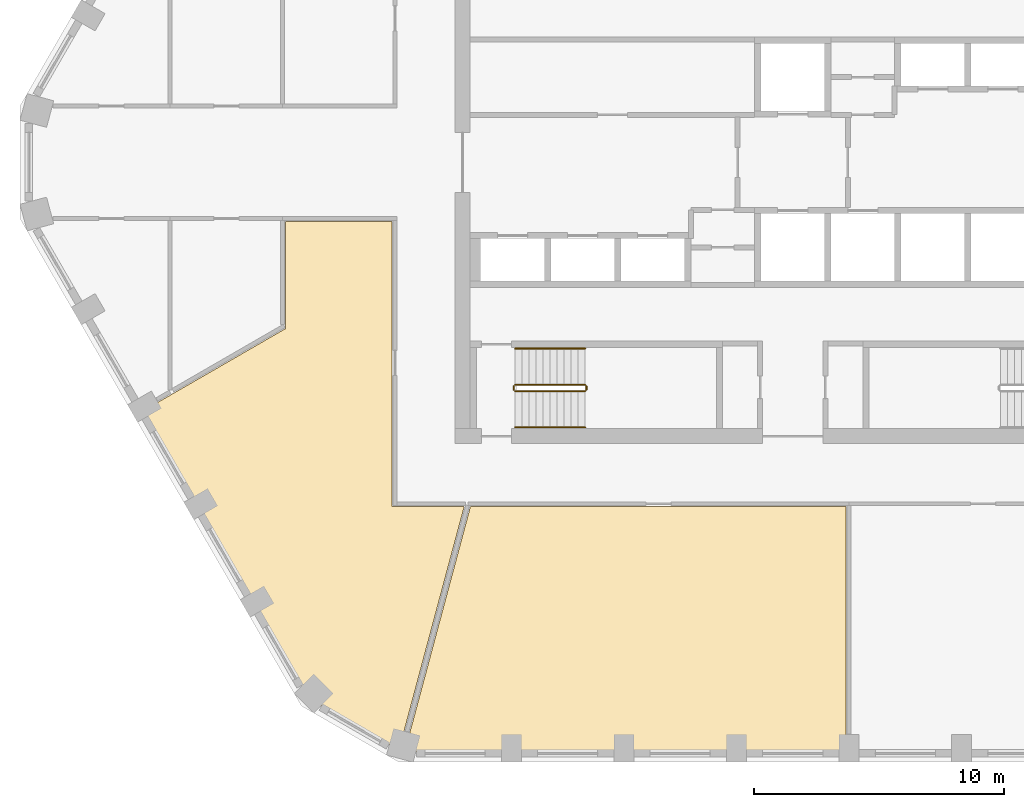
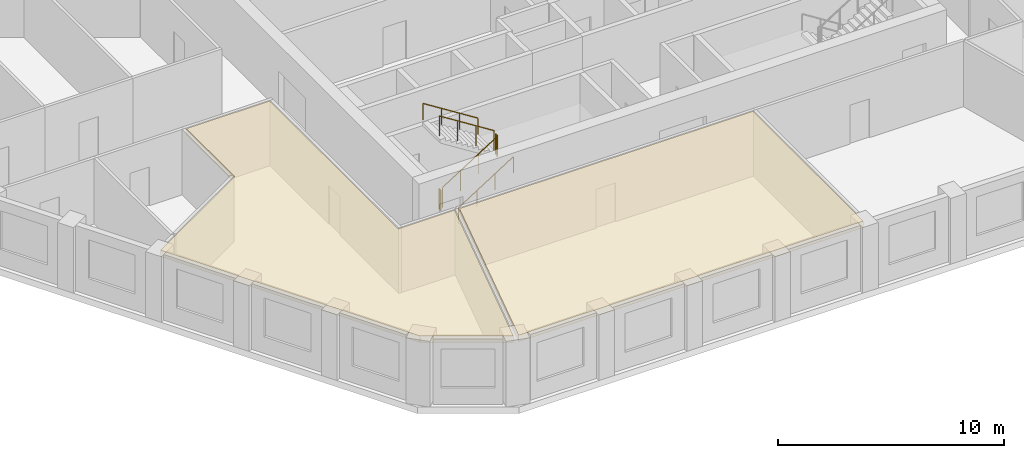
# One storey, part 8 of 11: 6 railings, 2 coverings.
"""IFC4 building model written with IfcOpenShell, lengths in metres."""

from ifc_helpers import new_model, si_unit, direction, frame, origin, origin_2d, place, context, subcontext, project, spatial, polyline, circle, outline, extrude, material, layer, layer_set, type_object, element, save


model = new_model("IFC4")

# Units and contexts
model_context = context("Model", 3, precision=1e-05, world=origin(), true_north=direction((0.0, 1.0)))
body_context = subcontext(model_context, "Body", "Model", "MODEL_VIEW")
ifc_project = project(units=[si_unit("LENGTHUNIT", "METRE"), si_unit("AREAUNIT", "SQUARE_METRE"), si_unit("VOLUMEUNIT", "CUBIC_METRE"), si_unit("PLANEANGLEUNIT", "RADIAN"), si_unit("MASSUNIT", "GRAM", prefix="KILO")], contexts=[model_context])

# Site, building, storey
site_placement = place(None, origin())
site = spatial("IfcSite", under=ifc_project, at=site_placement, CompositionType="ELEMENT")
building_placement = place(site_placement, origin())
building = spatial("IfcBuilding", under=site, at=building_placement, Name="Dhurran Vertical Campus", CompositionType="ELEMENT")
storey_placement = place(building_placement, frame((0.0, 0.0, 215.10009765625)))
storey = spatial("IfcBuildingStorey", under=building, at=storey_placement, Name="L53", CompositionType="ELEMENT", Elevation=215.10009765625)

# Railings
ifc_material_1 = material(Name="Stainless steel balustrade", Category="steel")
railing_type_1 = type_object("IfcRailingType", Name="co-RL-GUARD-1100", PredefinedType="GUARDRAIL", material=ifc_material_1)
railing_1_placement = place(storey_placement, frame((-11.10009765625, -9.14990234375, 0.17724609375)))
element("IfcRailing", 1, at=railing_1_placement, inside=storey, type_object=railing_type_1, Name="L53 ST3 stair guard 1", PredefinedType="GUARDRAIL", context=body_context, shape_type="SweptSolid", body=[
    extrude(circle(Radius=0.02392578125, at=origin_2d()), frame((0.0, 0.0, 1.076171875), z_axis=(0.844908973607, 0.0, 0.534910110503), x_axis=(0.0, 1.0, 0.0)), (0.0, 0.0, 1.0), 3.31396484375),
    extrude(circle(Radius=0.02099609375, at=origin_2d()), origin(), (0.0, 0.0, 1.0), 1.052001953125),
    extrude(circle(Radius=0.02099609375, at=origin_2d()), frame((0.933349609375, 0.0, 0.5908203125)), (0.0, 0.0, 1.0), 1.052001953125),
    extrude(circle(Radius=0.02099609375, at=origin_2d()), frame((1.86669921875, 0.0, 1.181884765625)), (0.0, 0.0, 1.0), 1.052001953125),
    extrude(circle(Radius=0.02099609375, at=origin_2d()), frame((2.800048828125, 0.0, 1.772705078125)), (0.0, 0.0, 1.0), 1.052001953125),
])
railing_2_placement = place(storey_placement, frame((-8.25, -9.10009765625, 1.949951171875)))
element("IfcRailing", 2, at=railing_2_placement, inside=storey, type_object=railing_type_1, Name="L53 ST3 stair guard 2", PredefinedType="GUARDRAIL", context=body_context, shape_type="SweptSolid", body=[
    extrude(circle(Radius=0.02392578125, at=origin_2d()), frame((0.0, 0.0, 1.076171875), z_axis=(0.0, 1.0, 0.0), x_axis=(-1.0, 0.0, 0.0)), (0.0, 0.0, 1.0), 0.150146484375),
    extrude(circle(Radius=0.02099609375, at=origin_2d()), origin(), (0.0, 0.0, 1.0), 1.052001953125),
    extrude(circle(Radius=0.02099609375, at=origin_2d()), frame((0.0, 0.150146484375, 0.0)), (0.0, 0.0, 1.0), 1.052001953125),
])
railing_3_placement = place(storey_placement, frame((-8.300048828125, -8.89990234375, 2.127197265625)))
element("IfcRailing", 3, at=railing_3_placement, inside=storey, type_object=railing_type_1, Name="L53 ST3 stair guard 3", PredefinedType="GUARDRAIL", context=body_context, shape_type="SweptSolid", body=[
    extrude(circle(Radius=0.02392578125, at=origin_2d()), frame((0.0, 0.0, 1.076171875), z_axis=(-0.844908973607, 0.0, 0.534910110503), x_axis=(0.0, -1.0, 0.0)), (0.0, 0.0, 1.0), 3.31396484375),
    extrude(circle(Radius=0.02099609375, at=origin_2d()), origin(), (0.0, 0.0, 1.0), 1.052001953125),
    extrude(circle(Radius=0.02099609375, at=origin_2d()), frame((-0.933349609375, 0.0, 0.5908203125)), (0.0, 0.0, 1.0), 1.052001953125),
    extrude(circle(Radius=0.02099609375, at=origin_2d()), frame((-1.86669921875, 0.0, 1.181884765625)), (0.0, 0.0, 1.0), 1.052001953125),
    extrude(circle(Radius=0.02099609375, at=origin_2d()), frame((-2.800048828125, 0.0, 1.772705078125)), (0.0, 0.0, 1.0), 1.052001953125),
])
railing_4_placement = place(storey_placement, frame((-11.14990234375, -9.10009765625, 0.0)))
element("IfcRailing", 4, at=railing_4_placement, inside=storey, type_object=railing_type_1, Name="L53 ST3 stair guard 4", PredefinedType="GUARDRAIL", context=body_context, shape_type="SweptSolid", body=[
    extrude(circle(Radius=0.02392578125, at=origin_2d()), frame((0.0, 0.0, 1.076171875), z_axis=(0.0, 1.0, 0.0), x_axis=(-1.0, 0.0, 0.0)), (0.0, 0.0, 1.0), 0.150146484375),
    extrude(circle(Radius=0.02099609375, at=origin_2d()), origin(), (0.0, 0.0, 1.0), 1.052001953125),
    extrude(circle(Radius=0.02099609375, at=origin_2d()), frame((0.0, 0.150146484375, 0.0)), (0.0, 0.0, 1.0), 1.052001953125),
])
ifc_material_2 = material(Name="Stainless steel handrail", Category="steel")
railing_type_2 = type_object("IfcRailingType", Name="co-RL-HANDRAIL-900", PredefinedType="HANDRAIL", material=ifc_material_2)
railing_5_placement = place(storey_placement, frame((-11.10009765625, -10.60009765625, 0.17724609375)))
element("IfcRailing", 5, at=railing_5_placement, inside=storey, type_object=railing_type_2, Name="L53 ST3 stair handrail 1", PredefinedType="HANDRAIL", context=body_context, shape_type="SweptSolid", body=[
    extrude(circle(Radius=0.02392578125, at=origin_2d()), frame((0.0, 0.0, 0.8759765625), z_axis=(0.844908973607, 0.0, 0.534910110503), x_axis=(0.0, 1.0, 0.0)), (0.0, 0.0, 1.0), 3.31396484375),
    extrude(circle(Radius=0.02099609375, at=origin_2d()), origin(), (0.0, 0.0, 1.0), 0.851806640625),
    extrude(circle(Radius=0.02099609375, at=origin_2d()), frame((0.933349609375, 0.0, 0.5908203125)), (0.0, 0.0, 1.0), 0.851806640625),
    extrude(circle(Radius=0.02099609375, at=origin_2d()), frame((1.86669921875, 0.0, 1.181884765625)), (0.0, 0.0, 1.0), 0.851806640625),
    extrude(circle(Radius=0.02099609375, at=origin_2d()), frame((2.800048828125, 0.0, 1.772705078125)), (0.0, 0.0, 1.0), 0.851806640625),
])
railing_6_placement = place(storey_placement, frame((-8.300048828125, -7.449951171875, 2.127197265625)))
element("IfcRailing", 6, at=railing_6_placement, inside=storey, type_object=railing_type_2, Name="L53 ST3 stair handrail 2", PredefinedType="HANDRAIL", context=body_context, shape_type="SweptSolid", body=[
    extrude(circle(Radius=0.02392578125, at=origin_2d()), frame((0.0, 0.0, 0.8759765625), z_axis=(-0.844908973607, 0.0, 0.534910110503), x_axis=(0.0, -1.0, 0.0)), (0.0, 0.0, 1.0), 3.31396484375),
    extrude(circle(Radius=0.02099609375, at=origin_2d()), origin(), (0.0, 0.0, 1.0), 0.851806640625),
    extrude(circle(Radius=0.02099609375, at=origin_2d()), frame((-0.933349609375, 0.0, 0.5908203125)), (0.0, 0.0, 1.0), 0.851806640625),
    extrude(circle(Radius=0.02099609375, at=origin_2d()), frame((-1.86669921875, 0.0, 1.181884765625)), (0.0, 0.0, 1.0), 0.851806640625),
    extrude(circle(Radius=0.02099609375, at=origin_2d()), frame((-2.800048828125, 0.0, 1.772705078125)), (0.0, 0.0, 1.0), 0.851806640625),
])

# Coverings
ifc_material_3 = material(Name="Mineral fibre ceiling tiles on suspended grid")
ifc_layer = layer(ifc_material_3, 0.35009765625)
ifc_layer_set = layer_set([ifc_layer], Name="Mineral fibre ceiling tiles on suspended grid")
covering_type = type_object("IfcCoveringType", Name="fl-CE-350 suspended ceiling", PredefinedType="CEILING", material=ifc_layer_set)
covering_1_placement = place(storey_placement, frame((0.0, 0.0, 3.199951171875)))
element("IfcCovering", 7, at=covering_1_placement, inside=storey, type_object=covering_type, Name="Ceiling 53-07", PredefinedType="CEILING", context=body_context, shape_type="SweptSolid", body=[
    extrude(outline(polyline([(-19.339111328125, -21.427978515625), (-25.972900390625, -9.93798828125), (-20.280029296875, -6.65087890625), (-20.280029296875, -2.3701171875), (-16.02001953125, -2.3701171875), (-16.02001953125, -13.77001953125), (-13.136962890625, -13.77001953125), (-15.7451171875, -23.50390625), (-19.339111328125, -21.427978515625)])), origin(), (0.0, 0.0, 1.0), 0.349853515625),
])
covering_2_placement = place(storey_placement, frame((0.0, 0.0, 3.199951171875)))
element("IfcCovering", 8, at=covering_2_placement, inside=storey, type_object=covering_type, Name="Ceiling 53-11", PredefinedType="CEILING", context=body_context, shape_type="SweptSolid", body=[
    extrude(outline(polyline([(2.1298828125, -23.56591796875), (-15.513916015625, -23.56591796875), (-12.888916015625, -13.77001953125), (2.1298828125, -13.77001953125), (2.1298828125, -23.56591796875)])), origin(), (0.0, 0.0, 1.0), 0.349853515625),
])

save(model, "model.ifc")
